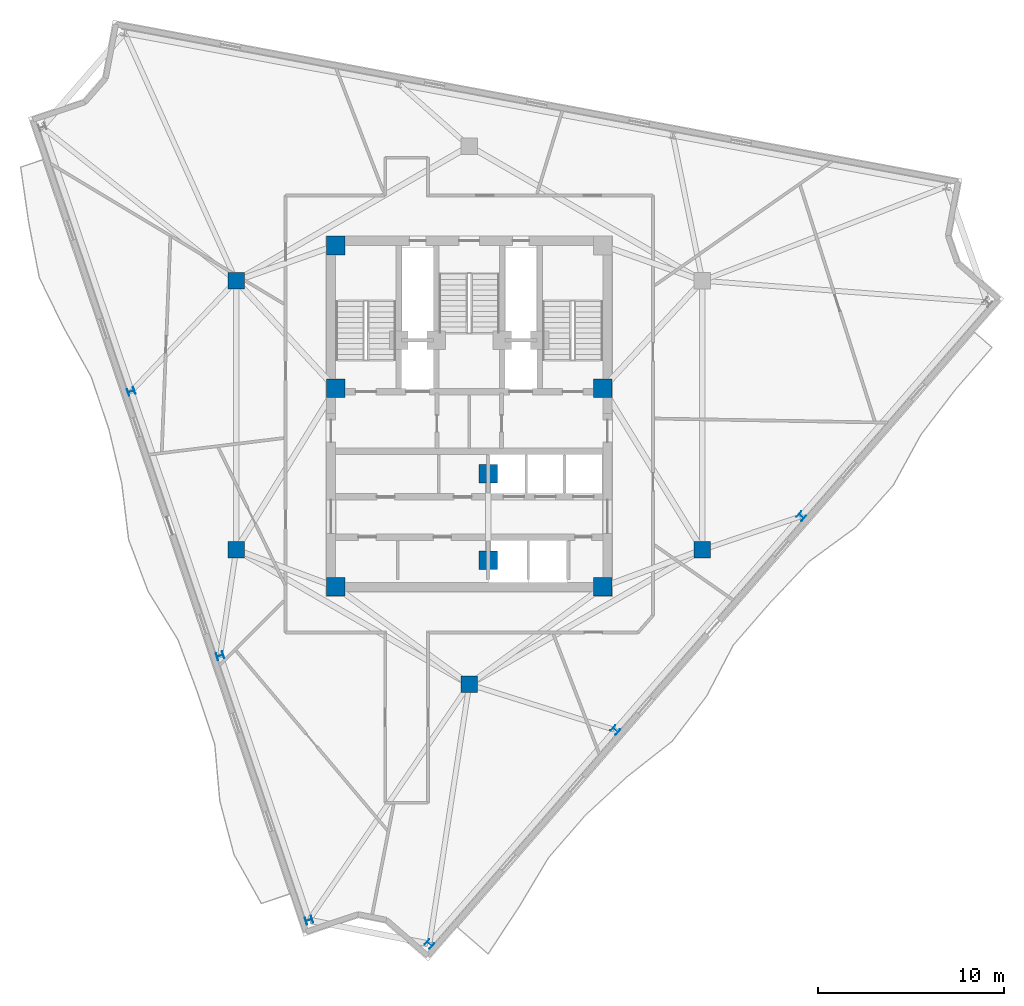
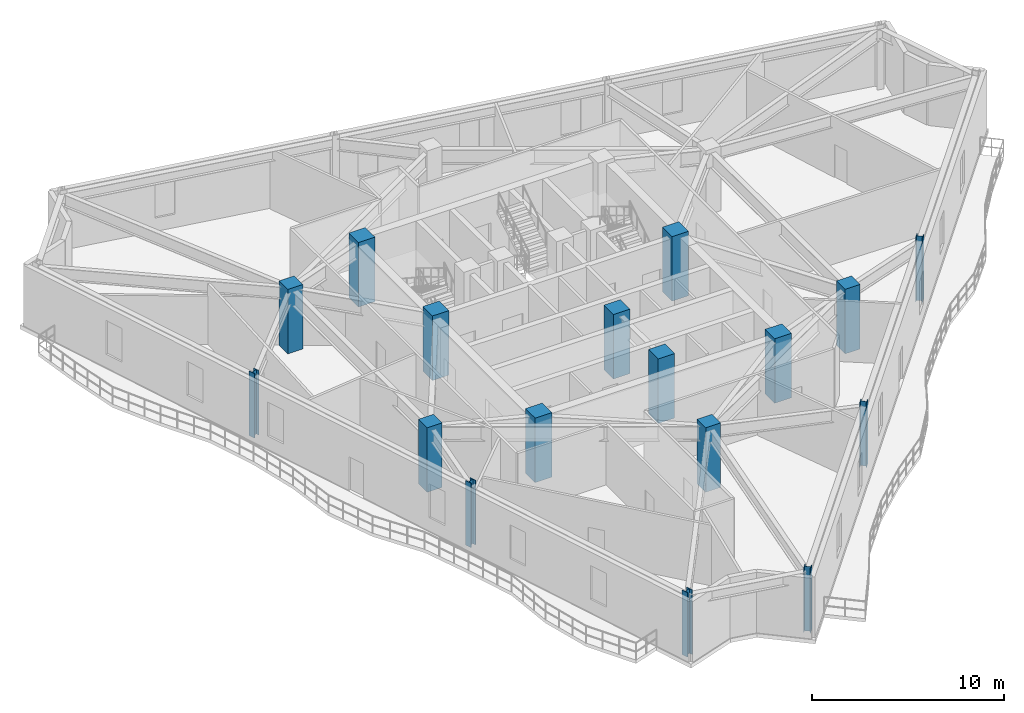
# One storey, part 1 of 10: 17 columns.
"""IFC4 building model written with IfcOpenShell, lengths in metres."""

import ifcopenshell
import ifcopenshell.guid

model = None  # the IFC model being written
_history = None  # IfcOwnerHistory: only IFC2X3 demands one
_inside = {}  # id of a spatial element -> (the spatial element, [elements in it])
_under = {}  # id of a project, library or spatial element -> (it, [spatial elements below it])
_declared = {}  # id of a project -> (the project, [libraries it declares])
_typed = {}  # id of a type object -> (the type object, [elements of that type])
_made_of = {}  # id of a material, layer set ... -> (it, [elements and type objects made of it])


def new_model(schema):
    """Start an empty IFC model of exactly this schema.

    Asked for "IFC4X3", IfcOpenShell would pick the latest addendum, in which some entities
    have other attributes; the version numbers below select the first issue.
    IFC2X3 requires an IfcOwnerHistory on every rooted entity: one is made here for all.
    """
    global model, _history
    if schema == "IFC4X3":
        model = ifcopenshell.file(schema_version=(4, 3, 0, 0))
    else:
        model = ifcopenshell.file(schema=schema)
    _inside.clear()
    _under.clear()
    _declared.clear()
    _typed.clear()
    _made_of.clear()
    _history = None
    if model.schema == "IFC2X3":
        org = make("IfcOrganization", Name="unknown")
        user = make(
            "IfcPersonAndOrganization",
            ThePerson=make("IfcPerson", FamilyName="unknown"),
            TheOrganization=org,
        )
        app = make(
            "IfcApplication",
            ApplicationDeveloper=org,
            Version="unknown",
            ApplicationFullName="unknown",
            ApplicationIdentifier="unknown",
        )
        _history = make(
            "IfcOwnerHistory",
            OwningUser=user,
            OwningApplication=app,
            ChangeAction="ADDED",
            CreationDate=0,
        )
    return model


def make(cls, **values):
    """One entity of the class cls with the attributes given. An attribute that is None is left unset."""
    return model.create_entity(
        cls, **{name: value for name, value in values.items() if value is not None}
    )


def rooted(cls, **values):
    """An entity with a GlobalId (a new one), such as an element, a storey or a relation."""
    return make(cls, GlobalId=ifcopenshell.guid.new(), OwnerHistory=_history, **values)


def si_unit(unit_type, name, prefix=None):
    """IfcSIUnit, for example si_unit("LENGTHUNIT", "METRE", prefix="MILLI")."""
    return make("IfcSIUnit", UnitType=unit_type, Prefix=prefix, Name=name)


def assignment(units):
    """IfcUnitAssignment: the units of a project."""
    return None if units is None else make("IfcUnitAssignment", Units=units)


def point(xyz):
    """IfcCartesianPoint."""
    return None if xyz is None else make("IfcCartesianPoint", Coordinates=xyz)


def direction(xyz):
    """IfcDirection."""
    return None if xyz is None else make("IfcDirection", DirectionRatios=xyz)


def frame(location, z_axis=None, x_axis=None):
    """IfcAxis2Placement3D, a coordinate frame: its origin and axes. An axis left out is left unset."""
    return make(
        "IfcAxis2Placement3D",
        Location=point(location),
        Axis=direction(z_axis),
        RefDirection=direction(x_axis),
    )


def frame_2d(location, x_axis=None):
    """IfcAxis2Placement2D, a coordinate frame in the plane: its origin and x axis."""
    return make(
        "IfcAxis2Placement2D", Location=point(location), RefDirection=direction(x_axis)
    )


def origin():
    """The frame at (0, 0, 0) with its axes left unset."""
    return frame((0.0, 0.0, 0.0))


def origin_2d():
    """The frame at (0, 0) in the plane with its x axis left unset."""
    return frame_2d((0.0, 0.0))


def place(relative_to, where):
    """IfcLocalPlacement: puts the frame where relative to a parent placement (None: the world)."""
    return make(
        "IfcLocalPlacement", PlacementRelTo=relative_to, RelativePlacement=where
    )


def context(
    kind, dimensions, precision=None, world=None, true_north=None, identifier=None
):
    """IfcGeometricRepresentationContext, for example the 3D "Model" context."""
    return make(
        "IfcGeometricRepresentationContext",
        ContextIdentifier=identifier,
        ContextType=kind,
        CoordinateSpaceDimension=dimensions,
        Precision=precision,
        WorldCoordinateSystem=world,
        TrueNorth=true_north,
    )


def subcontext(parent, identifier, kind, view, scale=None):
    """IfcGeometricRepresentationSubContext, for example "Body" below "Model"."""
    return make(
        "IfcGeometricRepresentationSubContext",
        ContextIdentifier=identifier,
        ContextType=kind,
        ParentContext=parent,
        TargetScale=scale,
        TargetView=view,
    )


def project(units=None, contexts=None):
    """IfcProject with its units and contexts."""
    return rooted(
        "IfcProject",
        Name="project",
        RepresentationContexts=contexts,
        UnitsInContext=assignment(units),
    )


def spatial(cls, under=None, at=None, **own):
    """A site, building, storey or space (cls), placed at a placement, below another one or the project."""
    s = rooted(cls, ObjectPlacement=at, **own)
    if under is not None:
        _under.setdefault(under.id(), (under, []))[1].append(s)
    return s


def profile(cls, at=None, kind="AREA", **sizes):
    """A parametric profile (cls). Its sizes go by their IFC names, for example OverallWidth=200.0."""
    return make(cls, ProfileType=kind, Position=at, **sizes)


def rectangle(**sizes):
    """IfcRectangleProfileDef."""
    return profile("IfcRectangleProfileDef", **sizes)


def i_section(**sizes):
    """IfcIShapeProfileDef."""
    return profile("IfcIShapeProfileDef", **sizes)


def extrude(swept, where, along, depth):
    """IfcExtrudedAreaSolid: the profile swept, set in the frame where, extruded along a direction by depth."""
    return make(
        "IfcExtrudedAreaSolid",
        SweptArea=swept,
        Position=where,
        ExtrudedDirection=direction(along),
        Depth=depth,
    )


def shape(context_of_items, identifier, shape_type, items):
    """IfcShapeRepresentation: the items that make up one representation, for example the "Body"."""
    return make(
        "IfcShapeRepresentation",
        ContextOfItems=context_of_items,
        RepresentationIdentifier=identifier,
        RepresentationType=shape_type,
        Items=items,
    )


def material(Name=None, Category=None):
    """IfcMaterial."""
    return make("IfcMaterial", Name=Name, Category=Category)


def material_profile(
    of_material, cross_section, Name=None, Category=None, Priority=None
):
    """IfcMaterialProfile: a cross section and its material."""
    return make(
        "IfcMaterialProfile",
        Name=Name,
        Material=of_material,
        Profile=cross_section,
        Priority=Priority,
        Category=Category,
    )


def profile_set(profiles, Name=None, composite=None):
    """IfcMaterialProfileSet."""
    return make(
        "IfcMaterialProfileSet",
        Name=Name,
        MaterialProfiles=profiles,
        CompositeProfile=composite,
    )


def made_of(thing, what):
    """Note that an element or type object is made of a material, layer set ...; save() writes the relation."""
    if what is not None:
        _made_of.setdefault(what.id(), (what, []))[1].append(thing)
    return thing


def type_object(cls, material=None, **own):
    """A type object (cls), such as IfcWallType, which elements share."""
    return made_of(rooted(cls, **own), material)


def element(
    cls,
    number,
    at=None,
    inside=None,
    cuts=None,
    type_object=None,
    material=None,
    context=None,
    identifier="Body",
    shape_type=None,
    held_by="IfcProductDefinitionShape",
    body=None,
    shapes=None,
    **own,
):
    """One element of the class cls, such as IfcWall. Its Tag is "e" and its number.

    at: its placement. inside: the storey or other place that contains it. cuts: it is an
    opening in that element (IfcRelVoidsElement). A single representation is given by context,
    identifier, shape_type and body (its items); several are given by shapes. held_by: the class
    of the entity that holds the representations. save() writes the other relations.
    """
    e = rooted(cls, Tag="e%d" % number, ObjectPlacement=at, **own)
    if body is not None:
        shapes = [shape(context, identifier, shape_type, body)]
    if shapes is not None:
        e.Representation = make(held_by, Representations=shapes)
    if inside is not None:
        _inside.setdefault(inside.id(), (inside, []))[1].append(e)
    if cuts is not None:
        rooted(
            "IfcRelVoidsElement", RelatingBuildingElement=cuts, RelatedOpeningElement=e
        )
    if type_object is not None:
        _typed.setdefault(type_object.id(), (type_object, []))[1].append(e)
    return made_of(e, material)


def aggregate(whole, parts):
    """IfcRelAggregates: a whole, such as a stair, and the parts it consists of."""
    return rooted("IfcRelAggregates", RelatingObject=whole, RelatedObjects=parts)


def save(model, path):
    """Write the relations noted so far, then the file.

    IfcRelAggregates (storeys below a building ...), IfcRelContainedInSpatialStructure (elements
    in a storey), IfcRelDefinesByType, IfcRelAssociatesMaterial and IfcRelDeclares: one each for
    every whole, place, type object, material and project.
    """
    for whole, parts in _under.values():
        aggregate(whole, parts)
    for where, things in _inside.values():
        rooted(
            "IfcRelContainedInSpatialStructure",
            RelatedElements=things,
            RelatingStructure=where,
        )
    for kind, things in _typed.values():
        rooted("IfcRelDefinesByType", RelatedObjects=things, RelatingType=kind)
    for what, things in _made_of.values():
        rooted("IfcRelAssociatesMaterial", RelatedObjects=things, RelatingMaterial=what)
    for by, libraries in _declared.values():
        rooted("IfcRelDeclares", RelatingContext=by, RelatedDefinitions=libraries)
    model.write(path)


model = new_model("IFC4")

# Units and contexts
model_context = context("Model", 3, precision=1e-05, world=origin(), true_north=direction((0.0, 1.0)))
body_context = subcontext(model_context, "Body", "Model", "MODEL_VIEW")
ifc_project = project(units=[si_unit("LENGTHUNIT", "METRE"), si_unit("AREAUNIT", "SQUARE_METRE"), si_unit("VOLUMEUNIT", "CUBIC_METRE"), si_unit("PLANEANGLEUNIT", "RADIAN"), si_unit("MASSUNIT", "GRAM", prefix="KILO")], contexts=[model_context])

# Site, building, storey
site_placement = place(None, origin())
site = spatial("IfcSite", under=ifc_project, at=site_placement, CompositionType="ELEMENT")
building_placement = place(site_placement, origin())
building = spatial("IfcBuilding", under=site, at=building_placement, Name="Apsidion Concourse Tower", CompositionType="ELEMENT")
storey_placement = place(building_placement, frame((0.0, 0.0, 269.60009765625)))
storey = spatial("IfcBuildingStorey", under=building, at=storey_placement, Name="L63", CompositionType="ELEMENT", Elevation=269.60009765625)

# Columns
ifc_material_1 = material(Name="Concrete C50/60", Category="concrete")
ifc_material_profile_1 = material_profile(ifc_material_1, rectangle(XDim=1.0, YDim=1.0, at=origin_2d()), Name="RC 1000x1000")
ifc_profile_set_1 = profile_set([ifc_material_profile_1], Name="Concrete C50/60")
column_type_1 = type_object("IfcColumnType", Name="COL-RC-1000", PredefinedType="COLUMN", material=ifc_profile_set_1)
for number, where, z_axis, x_axis, name in (
    (1, (-7.199951171875, -9.25, 0.0), (0.0, 0.0, 1.0), (1.0, 0.0, 0.0), "L63 Core Super-Column SC1"),
    (2, (7.199951171875, -9.25, 0.0), (0.0, 0.0, 1.0), (1.0, 0.0, 0.0), "L63 Core Super-Column SC2"),
    (3, (7.199951171875, 1.449951171875, 0.0), (0.0, 0.0, 1.0), (1.0, 0.0, 0.0), "L63 Core Super-Column SC3"),
    (4, (-7.199951171875, 9.14990234375, 0.0), (0.0, 0.0, 1.0), (1.0, 0.0, 0.0), "L63 Core Super-Column SC5"),
    (5, (-7.199951171875, 1.449951171875, 0.0), (0.0, 0.0, 1.0), (1.0, 0.0, 0.0), "L63 Core Super-Column SC6"),
    (6, (1.02490234375, -3.14990234375, 0.0), (0.0, 0.0, 1.0), (1.0, 0.0, 0.0), "L63 Core Super-Column CC5"),
    (7, (1.02490234375, -7.800048828125, 0.0), (0.0, 0.0, 1.0), (1.0, 0.0, 0.0), "L63 Core Super-Column CC6"),
):
    element("IfcColumn", number, at=place(storey_placement, frame(where, z_axis=z_axis, x_axis=x_axis)), inside=storey, type_object=column_type_1, Name=name, PredefinedType="COLUMN", context=body_context, shape_type="SweptSolid", body=[
        extrude(rectangle(XDim=1.0, YDim=1.0, at=origin_2d()), origin(), (0.0, 0.0, 1.0), 4.099853515625),
    ])
ifc_material_profile_2 = material_profile(ifc_material_1, rectangle(XDim=0.89990234375, YDim=0.89990234375, at=origin_2d()), Name="RC 900x900")
ifc_profile_set_2 = profile_set([ifc_material_profile_2], Name="Concrete C50/60")
column_type_2 = type_object("IfcColumnType", Name="COL-RC-900", PredefinedType="COLUMN", material=ifc_profile_set_2)
for number, where, z_axis, x_axis, name in (
    (8, (-12.56005859375, -7.25, 0.0), (0.0, 0.0, 1.0), (1.0, 0.0, 0.0), "L63 Interior Spine Column IC1"),
    (9, (12.56005859375, -7.25, 0.0), (0.0, 0.0, 1.0), (1.0, 0.0, 0.0), "L63 Interior Spine Column IC2"),
    (10, (-12.56005859375, 7.25, 0.0), (0.0, 0.0, 1.0), (1.0, 0.0, 0.0), "L63 Interior Spine Column IC5"),
    (11, (0.0, -14.5, 0.0), (0.0, 0.0, 1.0), (1.0, 0.0, 0.0), "L63 Interior Spine Column IC6"),
):
    element("IfcColumn", number, at=place(storey_placement, frame(where, z_axis=z_axis, x_axis=x_axis)), inside=storey, type_object=column_type_2, Name=name, PredefinedType="COLUMN", context=body_context, shape_type="SweptSolid", body=[
        extrude(rectangle(XDim=0.89990234375, YDim=0.89990234375, at=origin_2d()), origin(), (0.0, 0.0, 1.0), 4.099853515625),
    ])
ifc_material_2 = material(Name="Structural steel ASTM A992 Grade 50", Category="steel")
ifc_material_profile_3 = material_profile(ifc_material_2, i_section(OverallWidth=0.373046875, OverallDepth=0.373046875, WebThickness=0.016357421875, FlangeThickness=0.026123046875, at=origin_2d()), Name="W14X132")
ifc_profile_set_3 = profile_set([ifc_material_profile_3], Name="Structural steel ASTM A992 Grade 50")
column_type_3 = type_object("IfcColumnType", Name="COL-W14-132", PredefinedType="COLUMN", material=ifc_profile_set_3)
for number, where, z_axis, x_axis, name in (
    (12, (-18.215087890625, 1.285888671875, 0.0), (0.0, 0.0, 1.0), (-0.318628456287, 0.947879690069, 0.0), "L63 Rotated Perimeter Column PC02"),
    (13, (-13.42578125, -12.959228515625, 0.0), (0.0, 0.0, 1.0), (-0.318628456287, 0.947879690069, 0.0), "L63 Rotated Perimeter Column PC03"),
    (14, (-8.636474609375, -27.20458984375, 0.0), (0.0, 0.0, 1.0), (-0.318628456287, 0.947879690069, 0.0), "L63 Rotated Perimeter Column PC04"),
    (15, (-2.146728515625, -28.490478515625, 0.0), (0.0, 0.0, 1.0), (0.656059028991, 0.754709580223, 0.0), "L63 Rotated Perimeter Column PC05"),
    (16, (7.87353515625, -16.96337890625, 0.0), (0.0, 0.0, 1.0), (0.656059028991, 0.754709580223, 0.0), "L63 Rotated Perimeter Column PC06"),
    (17, (17.89404296875, -5.436279296875, 0.0), (0.0, 0.0, 1.0), (0.656059028991, 0.754709580223, 0.0), "L63 Rotated Perimeter Column PC07"),
):
    element("IfcColumn", number, at=place(storey_placement, frame(where, z_axis=z_axis, x_axis=x_axis)), inside=storey, type_object=column_type_3, Name=name, PredefinedType="COLUMN", context=body_context, shape_type="SweptSolid", body=[
        extrude(i_section(OverallWidth=0.373046875, OverallDepth=0.373046875, WebThickness=0.016357421875, FlangeThickness=0.026123046875, at=origin_2d()), origin(), (0.0, 0.0, 1.0), 4.099853515625),
    ])

save(model, "model.ifc")
